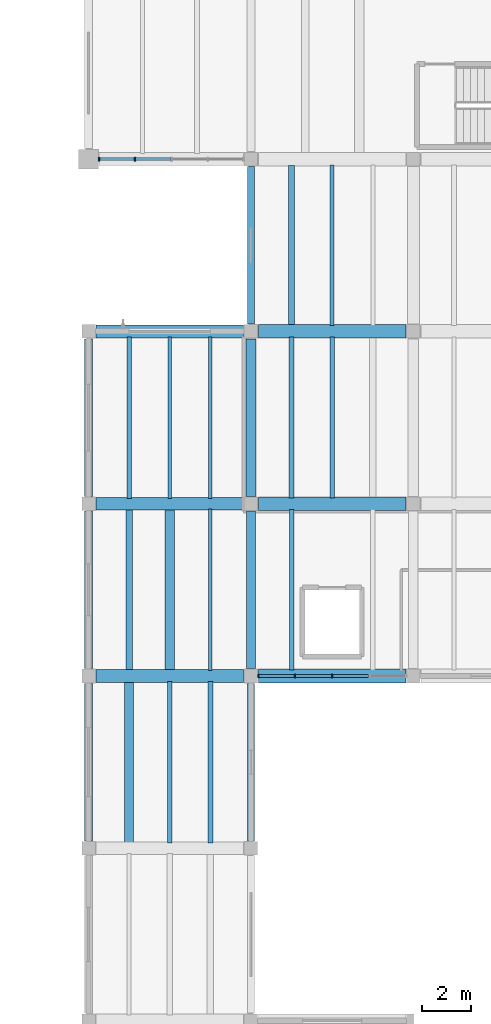
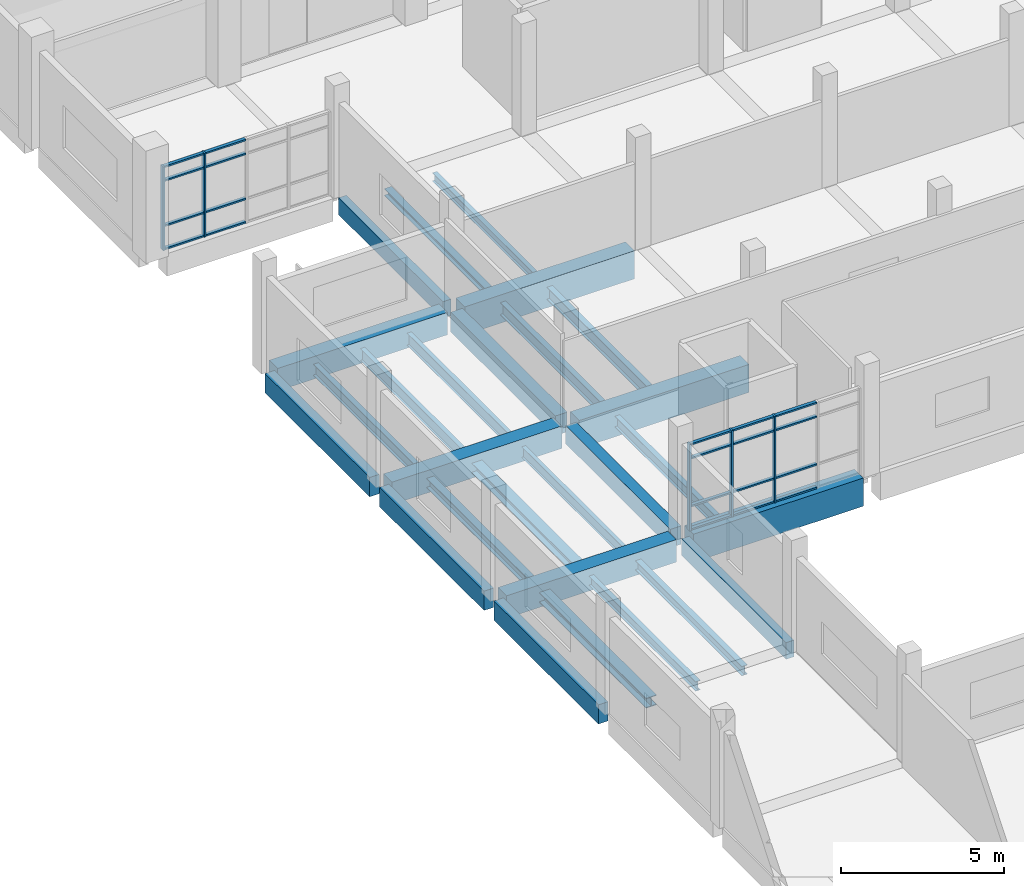
# One storey, part 24 of 67: 27 beams, 25 members, 2 elements without a shape of their own.
"""IFC4 building model written with IfcOpenShell, lengths in metres."""

from ifc_helpers import new_model, si_unit, direction, frame, origin, origin_2d, place, context, subcontext, project, spatial, rectangle, i_section, extrude, material, material_profile, profile_set, type_object, element, aggregate, save


model = new_model("IFC4")

# Units and contexts
model_context = context("Model", 3, precision=1e-05, world=origin(), true_north=direction((0.0, 1.0)))
body_context = subcontext(model_context, "Body", "Model", "MODEL_VIEW")
ifc_project = project(units=[si_unit("LENGTHUNIT", "METRE"), si_unit("AREAUNIT", "SQUARE_METRE"), si_unit("VOLUMEUNIT", "CUBIC_METRE"), si_unit("PLANEANGLEUNIT", "RADIAN"), si_unit("MASSUNIT", "GRAM", prefix="KILO")], contexts=[model_context])

# Site, building, storey
site_placement = place(None, origin())
site = spatial("IfcSite", under=ifc_project, at=site_placement, CompositionType="ELEMENT")
building_placement = place(site_placement, origin())
building = spatial("IfcBuilding", under=site, at=building_placement, Name="Ciguamira Faculty of Natural Sciences", CompositionType="ELEMENT")
storey_placement = place(building_placement, frame((0.0, 0.0, 8.39990234375)))
storey = spatial("IfcBuildingStorey", under=building, at=storey_placement, Name="L02", CompositionType="ELEMENT", Elevation=8.39990234375)

# Curtain wall, members
ifc_material_1 = material(Name="Anodized aluminium curtain wall", Category="aluminium")
curtain_wall_type_1 = type_object("IfcCurtainWallType", Name="CurtainWall_CW-07", PredefinedType="USERDEFINED", material=ifc_material_1)
curtain_wall_1_placement = place(storey_placement, origin())
curtain_wall_1 = element("IfcCurtainWall", 1, at=curtain_wall_1_placement, inside=storey, type_object=curtain_wall_type_1, Name="L02 unitised curtain wall 0067", ObjectType="UNITISED CURTAIN WALL", PredefinedType="USERDEFINED")
ifc_material_2 = material(Name="Anodized aluminium mullion", Category="aluminium")
ifc_material_profile_1 = material_profile(ifc_material_2, rectangle(XDim=0.06005859375, YDim=0.159912109375, at=origin_2d()), Name="ALU-MUL-60X160")
ifc_profile_set_1 = profile_set([ifc_material_profile_1], Name="Anodized aluminium mullion")
member_type_1 = type_object("IfcMemberType", Name="CWMullion_CWM-01", PredefinedType="MULLION", material=ifc_profile_set_1)
member_1_placement = place(storey_placement, frame((64.205078125, 73.0, 0.0), z_axis=(0.0, 0.0, 1.0), x_axis=(1.0, 0.0, 0.0)))
member_1 = element("IfcMember", 2, at=member_1_placement, type_object=member_type_1, Name="CW-07 mullion 1", PredefinedType="MULLION", context=body_context, shape_type="SweptSolid", body=[
    extrude(rectangle(XDim=0.06005859375, YDim=0.159912109375, at=origin_2d()), origin(), (0.0, 0.0, 1.0), 3.235107421875),
])
member_2_placement = place(storey_placement, frame((65.6875, 73.0, 0.0), z_axis=(0.0, 0.0, 1.0), x_axis=(1.0, 0.0, 0.0)))
member_2 = element("IfcMember", 3, at=member_2_placement, type_object=member_type_1, Name="CW-07 mullion 2", PredefinedType="MULLION", context=body_context, shape_type="SweptSolid", body=[
    extrude(rectangle(XDim=0.06005859375, YDim=0.159912109375, at=origin_2d()), origin(), (0.0, 0.0, 1.0), 3.235107421875),
])
member_3_placement = place(storey_placement, frame((67.199951171875, 73.0, 0.0), z_axis=(0.0, 0.0, 1.0), x_axis=(1.0, 0.0, 0.0)))
member_3 = element("IfcMember", 4, at=member_3_placement, type_object=member_type_1, Name="CW-07 mullion 3", PredefinedType="MULLION", context=body_context, shape_type="SweptSolid", body=[
    extrude(rectangle(XDim=0.06005859375, YDim=0.159912109375, at=origin_2d()), origin(), (0.0, 0.0, 1.0), 3.235107421875),
])

curtain_wall_type_2 = type_object("IfcCurtainWallType", Name="CurtainWall_CW-10", PredefinedType="USERDEFINED", material=ifc_material_1)
curtain_wall_2_placement = place(storey_placement, origin())
curtain_wall_2 = element("IfcCurtainWall", 5, at=curtain_wall_2_placement, inside=storey, type_object=curtain_wall_type_2, Name="L02 unitised curtain wall 0070", ObjectType="UNITISED CURTAIN WALL", PredefinedType="USERDEFINED")
member_4_placement = place(storey_placement, frame((57.72998046875, 94.0, 0.0), z_axis=(0.0, 0.0, 1.0), x_axis=(1.0, 0.0, 0.0)))
member_4 = element("IfcMember", 6, at=member_4_placement, type_object=member_type_1, Name="CW-10 mullion 1", PredefinedType="MULLION", context=body_context, shape_type="SweptSolid", body=[
    extrude(rectangle(XDim=0.06005859375, YDim=0.159912109375, at=origin_2d()), origin(), (0.0, 0.0, 1.0), 3.135009765625),
])
member_5_placement = place(storey_placement, frame((59.18115234375, 94.0, 0.0), z_axis=(0.0, 0.0, 1.0), x_axis=(1.0, 0.0, 0.0)))
member_5 = element("IfcMember", 7, at=member_5_placement, type_object=member_type_1, Name="CW-10 mullion 2", PredefinedType="MULLION", context=body_context, shape_type="SweptSolid", body=[
    extrude(rectangle(XDim=0.06005859375, YDim=0.159912109375, at=origin_2d()), origin(), (0.0, 0.0, 1.0), 3.135009765625),
])

# Member
ifc_material_3 = material(Name="Anodized aluminium transom", Category="aluminium")
ifc_material_profile_2 = material_profile(ifc_material_3, rectangle(XDim=0.06005859375, YDim=0.1201171875, at=origin_2d()), Name="ALU-TRN-60X120")
ifc_profile_set_2 = profile_set([ifc_material_profile_2], Name="Anodized aluminium transom")
member_type_2 = type_object("IfcMemberType", Name="CWTransom_CWT-01", PredefinedType="USERDEFINED", material=ifc_profile_set_2)
member_6_placement = place(storey_placement, frame((64.235107421875, 73.0, 0.030029296875), z_axis=(1.0, 0.0, 0.0), x_axis=(0.0, 0.0, 1.0)))
member_6 = element("IfcMember", 8, at=member_6_placement, type_object=member_type_2, Name="CW-07 transom 1.1", ObjectType="TRANSOM", PredefinedType="USERDEFINED", context=body_context, shape_type="SweptSolid", body=[
    extrude(rectangle(XDim=0.06005859375, YDim=0.1201171875, at=origin_2d()), origin(), (0.0, 0.0, 1.0), 1.42236328125),
])

member_7_placement = place(storey_placement, frame((64.235107421875, 73.0, 0.900146484375), z_axis=(1.0, 0.0, 0.0), x_axis=(0.0, 0.0, 1.0)))
member_7 = element("IfcMember", 9, at=member_7_placement, type_object=member_type_2, Name="CW-07 transom 1.2", ObjectType="TRANSOM", PredefinedType="USERDEFINED", context=body_context, shape_type="SweptSolid", body=[
    extrude(rectangle(XDim=0.06005859375, YDim=0.1201171875, at=origin_2d()), origin(), (0.0, 0.0, 1.0), 1.42236328125),
])

member_8_placement = place(storey_placement, frame((64.235107421875, 73.0, 2.68505859375), z_axis=(1.0, 0.0, 0.0), x_axis=(0.0, 0.0, 1.0)))
member_8 = element("IfcMember", 10, at=member_8_placement, type_object=member_type_2, Name="CW-07 transom 1.3", ObjectType="TRANSOM", PredefinedType="USERDEFINED", context=body_context, shape_type="SweptSolid", body=[
    extrude(rectangle(XDim=0.06005859375, YDim=0.1201171875, at=origin_2d()), origin(), (0.0, 0.0, 1.0), 1.42236328125),
])

member_9_placement = place(storey_placement, frame((64.235107421875, 73.0, 3.205078125), z_axis=(1.0, 0.0, 0.0), x_axis=(0.0, 0.0, 1.0)))
member_9 = element("IfcMember", 11, at=member_9_placement, type_object=member_type_2, Name="CW-07 transom 1.4", ObjectType="TRANSOM", PredefinedType="USERDEFINED", context=body_context, shape_type="SweptSolid", body=[
    extrude(rectangle(XDim=0.06005859375, YDim=0.1201171875, at=origin_2d()), origin(), (0.0, 0.0, 1.0), 1.42236328125),
])

member_10_placement = place(storey_placement, frame((65.717529296875, 73.0, 0.030029296875), z_axis=(1.0, 0.0, 0.0), x_axis=(0.0, 0.0, 1.0)))
member_10 = element("IfcMember", 12, at=member_10_placement, type_object=member_type_2, Name="CW-07 transom 2.1", ObjectType="TRANSOM", PredefinedType="USERDEFINED", context=body_context, shape_type="SweptSolid", body=[
    extrude(rectangle(XDim=0.06005859375, YDim=0.1201171875, at=origin_2d()), origin(), (0.0, 0.0, 1.0), 1.452392578125),
])

member_11_placement = place(storey_placement, frame((65.717529296875, 73.0, 0.900146484375), z_axis=(1.0, 0.0, 0.0), x_axis=(0.0, 0.0, 1.0)))
member_11 = element("IfcMember", 13, at=member_11_placement, type_object=member_type_2, Name="CW-07 transom 2.2", ObjectType="TRANSOM", PredefinedType="USERDEFINED", context=body_context, shape_type="SweptSolid", body=[
    extrude(rectangle(XDim=0.06005859375, YDim=0.1201171875, at=origin_2d()), origin(), (0.0, 0.0, 1.0), 1.452392578125),
])

member_12_placement = place(storey_placement, frame((65.717529296875, 73.0, 2.68505859375), z_axis=(1.0, 0.0, 0.0), x_axis=(0.0, 0.0, 1.0)))
member_12 = element("IfcMember", 14, at=member_12_placement, type_object=member_type_2, Name="CW-07 transom 2.3", ObjectType="TRANSOM", PredefinedType="USERDEFINED", context=body_context, shape_type="SweptSolid", body=[
    extrude(rectangle(XDim=0.06005859375, YDim=0.1201171875, at=origin_2d()), origin(), (0.0, 0.0, 1.0), 1.452392578125),
])

member_13_placement = place(storey_placement, frame((65.717529296875, 73.0, 3.205078125), z_axis=(1.0, 0.0, 0.0), x_axis=(0.0, 0.0, 1.0)))
member_13 = element("IfcMember", 15, at=member_13_placement, type_object=member_type_2, Name="CW-07 transom 2.4", ObjectType="TRANSOM", PredefinedType="USERDEFINED", context=body_context, shape_type="SweptSolid", body=[
    extrude(rectangle(XDim=0.06005859375, YDim=0.1201171875, at=origin_2d()), origin(), (0.0, 0.0, 1.0), 1.452392578125),
])

member_14_placement = place(storey_placement, frame((67.22998046875, 73.0, 0.030029296875), z_axis=(1.0, 0.0, 0.0), x_axis=(0.0, 0.0, 1.0)))
member_14 = element("IfcMember", 16, at=member_14_placement, type_object=member_type_2, Name="CW-07 transom 3.1", ObjectType="TRANSOM", PredefinedType="USERDEFINED", context=body_context, shape_type="SweptSolid", body=[
    extrude(rectangle(XDim=0.06005859375, YDim=0.1201171875, at=origin_2d()), origin(), (0.0, 0.0, 1.0), 1.45263671875),
])

member_15_placement = place(storey_placement, frame((67.22998046875, 73.0, 0.900146484375), z_axis=(1.0, 0.0, 0.0), x_axis=(0.0, 0.0, 1.0)))
member_15 = element("IfcMember", 17, at=member_15_placement, type_object=member_type_2, Name="CW-07 transom 3.2", ObjectType="TRANSOM", PredefinedType="USERDEFINED", context=body_context, shape_type="SweptSolid", body=[
    extrude(rectangle(XDim=0.06005859375, YDim=0.1201171875, at=origin_2d()), origin(), (0.0, 0.0, 1.0), 1.45263671875),
])

member_16_placement = place(storey_placement, frame((67.22998046875, 73.0, 2.68505859375), z_axis=(1.0, 0.0, 0.0), x_axis=(0.0, 0.0, 1.0)))
member_16 = element("IfcMember", 18, at=member_16_placement, type_object=member_type_2, Name="CW-07 transom 3.3", ObjectType="TRANSOM", PredefinedType="USERDEFINED", context=body_context, shape_type="SweptSolid", body=[
    extrude(rectangle(XDim=0.06005859375, YDim=0.1201171875, at=origin_2d()), origin(), (0.0, 0.0, 1.0), 1.45263671875),
])

member_17_placement = place(storey_placement, frame((67.22998046875, 73.0, 3.205078125), z_axis=(1.0, 0.0, 0.0), x_axis=(0.0, 0.0, 1.0)))
member_17 = element("IfcMember", 19, at=member_17_placement, type_object=member_type_2, Name="CW-07 transom 3.4", ObjectType="TRANSOM", PredefinedType="USERDEFINED", context=body_context, shape_type="SweptSolid", body=[
    extrude(rectangle(XDim=0.06005859375, YDim=0.1201171875, at=origin_2d()), origin(), (0.0, 0.0, 1.0), 1.45263671875),
])

aggregate(curtain_wall_1, [member_1, member_2, member_3, member_6, member_7, member_8, member_9, member_10, member_11, member_12, member_13, member_14, member_15, member_16, member_17])

member_18_placement = place(storey_placement, frame((57.760009765625, 94.0, 0.030029296875), z_axis=(1.0, 0.0, 0.0), x_axis=(0.0, 0.0, 1.0)))
member_18 = element("IfcMember", 20, at=member_18_placement, type_object=member_type_2, Name="CW-10 transom 1.1", ObjectType="TRANSOM", PredefinedType="USERDEFINED", context=body_context, shape_type="SweptSolid", body=[
    extrude(rectangle(XDim=0.06005859375, YDim=0.1201171875, at=origin_2d()), origin(), (0.0, 0.0, 1.0), 1.391357421875),
])

member_19_placement = place(storey_placement, frame((57.760009765625, 94.0, 0.900146484375), z_axis=(1.0, 0.0, 0.0), x_axis=(0.0, 0.0, 1.0)))
member_19 = element("IfcMember", 21, at=member_19_placement, type_object=member_type_2, Name="CW-10 transom 1.2", ObjectType="TRANSOM", PredefinedType="USERDEFINED", context=body_context, shape_type="SweptSolid", body=[
    extrude(rectangle(XDim=0.06005859375, YDim=0.1201171875, at=origin_2d()), origin(), (0.0, 0.0, 1.0), 1.391357421875),
])

member_20_placement = place(storey_placement, frame((57.760009765625, 94.0, 2.585205078125), z_axis=(1.0, 0.0, 0.0), x_axis=(0.0, 0.0, 1.0)))
member_20 = element("IfcMember", 22, at=member_20_placement, type_object=member_type_2, Name="CW-10 transom 1.3", ObjectType="TRANSOM", PredefinedType="USERDEFINED", context=body_context, shape_type="SweptSolid", body=[
    extrude(rectangle(XDim=0.06005859375, YDim=0.1201171875, at=origin_2d()), origin(), (0.0, 0.0, 1.0), 1.391357421875),
])

member_21_placement = place(storey_placement, frame((57.760009765625, 94.0, 3.10498046875), z_axis=(1.0, 0.0, 0.0), x_axis=(0.0, 0.0, 1.0)))
member_21 = element("IfcMember", 23, at=member_21_placement, type_object=member_type_2, Name="CW-10 transom 1.4", ObjectType="TRANSOM", PredefinedType="USERDEFINED", context=body_context, shape_type="SweptSolid", body=[
    extrude(rectangle(XDim=0.06005859375, YDim=0.1201171875, at=origin_2d()), origin(), (0.0, 0.0, 1.0), 1.391357421875),
])

member_22_placement = place(storey_placement, frame((59.211181640625, 94.0, 0.030029296875), z_axis=(1.0, 0.0, 0.0), x_axis=(0.0, 0.0, 1.0)))
member_22 = element("IfcMember", 24, at=member_22_placement, type_object=member_type_2, Name="CW-10 transom 2.1", ObjectType="TRANSOM", PredefinedType="USERDEFINED", context=body_context, shape_type="SweptSolid", body=[
    extrude(rectangle(XDim=0.06005859375, YDim=0.1201171875, at=origin_2d()), origin(), (0.0, 0.0, 1.0), 1.42138671875),
])

member_23_placement = place(storey_placement, frame((59.211181640625, 94.0, 0.900146484375), z_axis=(1.0, 0.0, 0.0), x_axis=(0.0, 0.0, 1.0)))
member_23 = element("IfcMember", 25, at=member_23_placement, type_object=member_type_2, Name="CW-10 transom 2.2", ObjectType="TRANSOM", PredefinedType="USERDEFINED", context=body_context, shape_type="SweptSolid", body=[
    extrude(rectangle(XDim=0.06005859375, YDim=0.1201171875, at=origin_2d()), origin(), (0.0, 0.0, 1.0), 1.42138671875),
])

member_24_placement = place(storey_placement, frame((59.211181640625, 94.0, 2.585205078125), z_axis=(1.0, 0.0, 0.0), x_axis=(0.0, 0.0, 1.0)))
member_24 = element("IfcMember", 26, at=member_24_placement, type_object=member_type_2, Name="CW-10 transom 2.3", ObjectType="TRANSOM", PredefinedType="USERDEFINED", context=body_context, shape_type="SweptSolid", body=[
    extrude(rectangle(XDim=0.06005859375, YDim=0.1201171875, at=origin_2d()), origin(), (0.0, 0.0, 1.0), 1.42138671875),
])

member_25_placement = place(storey_placement, frame((59.211181640625, 94.0, 3.10498046875), z_axis=(1.0, 0.0, 0.0), x_axis=(0.0, 0.0, 1.0)))
member_25 = element("IfcMember", 27, at=member_25_placement, type_object=member_type_2, Name="CW-10 transom 2.4", ObjectType="TRANSOM", PredefinedType="USERDEFINED", context=body_context, shape_type="SweptSolid", body=[
    extrude(rectangle(XDim=0.06005859375, YDim=0.1201171875, at=origin_2d()), origin(), (0.0, 0.0, 1.0), 1.42138671875),
])

aggregate(curtain_wall_2, [member_4, member_5, member_18, member_19, member_20, member_21, member_22, member_23, member_24, member_25])

# Beams
ifc_material_4 = material(Name="Concrete C40/50", Category="concrete")
ifc_material_profile_3 = material_profile(ifc_material_4, rectangle(XDim=0.550048828125, YDim=1.050048828125, at=origin_2d()), Name="RC-BM-550X1050")
ifc_profile_set_3 = profile_set([ifc_material_profile_3], Name="Concrete C40/50")
beam_type_1 = type_object("IfcBeamType", Name="RCBeam_BG-01_RC-BM-550X1050", PredefinedType="BEAM", material=ifc_profile_set_3)
for number, where, z_axis, x_axis, name in (
    (28, (64.199951171875, 73.0, -0.52490234375), (1.0, 0.0, 0.0), (0.0, 1.0, 0.0), "L02 RC girder EW-0813"),
    (29, (64.199951171875, 80.0, -0.52490234375), (1.0, 0.0, 0.0), (0.0, 1.0, 0.0), "L02 RC girder EW-0822"),
    (30, (64.199951171875, 87.0, -0.52490234375), (1.0, 0.0, 0.0), (0.0, 1.0, 0.0), "L02 RC girder EW-0831"),
):
    element("IfcBeam", number, at=place(storey_placement, frame(where, z_axis=z_axis, x_axis=x_axis)), inside=storey, type_object=beam_type_1, Name=name, PredefinedType="BEAM", context=body_context, shape_type="SweptSolid", body=[
        extrude(rectangle(XDim=0.550048828125, YDim=1.050048828125, at=origin_2d()), origin(), (0.0, 0.0, 1.0), 6.0),
    ])
ifc_material_profile_4 = material_profile(ifc_material_4, rectangle(XDim=0.419921875, YDim=0.739990234375, at=origin_2d()), Name="RC-BM-420X740")
ifc_profile_set_4 = profile_set([ifc_material_profile_4], Name="Concrete C40/50")
beam_type_2 = type_object("IfcBeamType", Name="RCBeam_BG-07_RC-BM-420X740", PredefinedType="BEAM", material=ifc_profile_set_4)
beam_1_placement = place(storey_placement, frame((63.89990234375, 80.300048828125, -0.369873046875), z_axis=(0.0, 1.0, 0.0), x_axis=(-1.0, 0.0, 0.0)))
element("IfcBeam", 31, at=beam_1_placement, inside=storey, type_object=beam_type_2, Name="L02 girder NS-0916", PredefinedType="BEAM", context=body_context, shape_type="SweptSolid", body=[
    extrude(rectangle(XDim=0.419921875, YDim=0.739990234375, at=origin_2d()), origin(), (0.0, 0.0, 1.0), 6.39990234375),
])
ifc_material_profile_5 = material_profile(ifc_material_4, rectangle(XDim=0.3798828125, YDim=0.679931640625, at=origin_2d()), Name="RC-BM-380X680")
ifc_profile_set_5 = profile_set([ifc_material_profile_5], Name="Concrete C40/50")
beam_type_3 = type_object("IfcBeamType", Name="RCBeam_BG-09_RC-BM-380X680", PredefinedType="BEAM", material=ifc_profile_set_5)
beam_2_placement = place(storey_placement, frame((63.89990234375, 73.300048828125, -0.33984375), z_axis=(0.0, 1.0, 0.0), x_axis=(-1.0, 0.0, 0.0)))
element("IfcBeam", 32, at=beam_2_placement, inside=storey, type_object=beam_type_3, Name="L02 girder NS-0915", PredefinedType="BEAM", context=body_context, shape_type="SweptSolid", body=[
    extrude(rectangle(XDim=0.3798828125, YDim=0.679931640625, at=origin_2d()), origin(), (0.0, 0.0, 1.0), 6.39990234375),
])
ifc_material_5 = material(Name="Precast concrete C40/50", Category="concrete")
ifc_material_profile_6 = material_profile(ifc_material_5, rectangle(XDim=0.280029296875, YDim=0.6201171875, at=origin_2d()), Name="RC-SP-280X620")
ifc_profile_set_6 = profile_set([ifc_material_profile_6], Name="Precast concrete C40/50")
beam_type_4 = type_object("IfcBeamType", Name="RCBeam_SP-01_RC-SP-280X620", PredefinedType="SPANDREL", material=ifc_profile_set_6)
for number, where, z_axis, x_axis, name in (
    (33, (63.89990234375, 66.300048828125, -0.309814453125), (0.0, 1.0, 0.0), (-1.0, 0.0, 0.0), "L02 girder NS-0914"),
    (34, (63.89990234375, 87.300048828125, -0.309814453125), (0.0, 1.0, 0.0), (-1.0, 0.0, 0.0), "L02 girder NS-0917"),
):
    element("IfcBeam", number, at=place(storey_placement, frame(where, z_axis=z_axis, x_axis=x_axis)), inside=storey, type_object=beam_type_4, Name=name, PredefinedType="SPANDREL", context=body_context, shape_type="SweptSolid", body=[
        extrude(rectangle(XDim=0.280029296875, YDim=0.6201171875, at=origin_2d()), origin(), (0.0, 0.0, 1.0), 6.39990234375),
    ])
ifc_material_profile_7 = material_profile(ifc_material_5, rectangle(XDim=0.340087890625, YDim=0.719970703125, at=origin_2d()), Name="RC-SP-340X720")
ifc_profile_set_7 = profile_set([ifc_material_profile_7], Name="Precast concrete C40/50")
beam_type_5 = type_object("IfcBeamType", Name="RCBeam_SP-03_RC-SP-340X720", PredefinedType="SPANDREL", material=ifc_profile_set_7)
for number, where, z_axis, x_axis, name in (
    (35, (57.300048828125, 66.300048828125, -0.35986328125), (0.0, 1.0, 0.0), (-1.0, 0.0, 0.0), "L02 girder NS-0902"),
    (36, (57.300048828125, 73.300048828125, -0.35986328125), (0.0, 1.0, 0.0), (-1.0, 0.0, 0.0), "L02 girder NS-0903"),
    (37, (57.300048828125, 80.300048828125, -0.35986328125), (0.0, 1.0, 0.0), (-1.0, 0.0, 0.0), "L02 girder NS-0904"),
):
    element("IfcBeam", number, at=place(storey_placement, frame(where, z_axis=z_axis, x_axis=x_axis)), inside=storey, type_object=beam_type_5, Name=name, PredefinedType="SPANDREL", context=body_context, shape_type="SweptSolid", body=[
        extrude(rectangle(XDim=0.340087890625, YDim=0.719970703125, at=origin_2d()), origin(), (0.0, 0.0, 1.0), 6.39990234375),
    ])
ifc_material_profile_8 = material_profile(ifc_material_4, rectangle(XDim=0.52001953125, YDim=0.840087890625, at=origin_2d()), Name="RC-TB-520X840")
ifc_profile_set_8 = profile_set([ifc_material_profile_8], Name="Concrete C40/50")
beam_type_6 = type_object("IfcBeamType", Name="RCBeam_TB-02_RC-TB-520X840", PredefinedType="T_BEAM", material=ifc_profile_set_8)
for number, where, z_axis, x_axis, name in (
    (38, (57.60009765625, 73.0, -0.419921875), (1.0, 0.0, 0.0), (0.0, 1.0, 0.0), "L02 RC girder EW-0812"),
    (39, (57.60009765625, 80.0, -0.419921875), (1.0, 0.0, 0.0), (0.0, 1.0, 0.0), "L02 RC girder EW-0821"),
    (40, (57.60009765625, 87.0, -0.419921875), (1.0, 0.0, 0.0), (0.0, 1.0, 0.0), "L02 RC girder EW-0830"),
):
    element("IfcBeam", number, at=place(storey_placement, frame(where, z_axis=z_axis, x_axis=x_axis)), inside=storey, type_object=beam_type_6, Name=name, PredefinedType="T_BEAM", context=body_context, shape_type="SweptSolid", body=[
        extrude(rectangle(XDim=0.52001953125, YDim=0.840087890625, at=origin_2d()), origin(), (0.0, 0.0, 1.0), 6.0),
    ])
ifc_material_6 = material(Name="Steel ASTM A992 Grade 50", Category="steel")
ifc_material_profile_9 = material_profile(ifc_material_6, i_section(OverallWidth=0.25390625, OverallDepth=0.25390625, WebThickness=0.008544921875, FlangeThickness=0.01416015625, at=origin_2d()), Name="W10X49")
ifc_profile_set_9 = profile_set([ifc_material_profile_9], Name="Steel ASTM A992 Grade 50")
beam_type_7 = type_object("IfcBeamType", Name="SteelJoist_SJ-03_W10X49", PredefinedType="JOIST", material=ifc_profile_set_9)
beam_3_placement = place(storey_placement, frame((65.550048828125, 87.235107421875, -0.406982421875), z_axis=(0.0, 1.0, 0.0), x_axis=(-1.0, 0.0, 0.0)))
element("IfcBeam", 41, at=beam_3_placement, inside=storey, type_object=beam_type_7, Name="L02 composite steel joist 00756", PredefinedType="JOIST", context=body_context, shape_type="SweptSolid", body=[
    extrude(i_section(OverallWidth=0.25390625, OverallDepth=0.25390625, WebThickness=0.008544921875, FlangeThickness=0.01416015625, at=origin_2d()), origin(), (0.0, 0.0, 1.0), 6.52978515625),
])
ifc_material_profile_10 = material_profile(ifc_material_6, i_section(OverallWidth=0.164794921875, OverallDepth=0.309814453125, WebThickness=0.005859375, FlangeThickness=0.009765625, at=origin_2d()), Name="W12X26")
ifc_profile_set_10 = profile_set([ifc_material_profile_10], Name="Steel ASTM A992 Grade 50")
beam_type_8 = type_object("IfcBeamType", Name="SteelJoist_SJ-04_W12X26", PredefinedType="JOIST", material=ifc_profile_set_10)
beam_4_placement = place(storey_placement, frame((67.199951171875, 87.235107421875, -0.434814453125), z_axis=(0.0, 1.0, 0.0), x_axis=(-1.0, 0.0, 0.0)))
element("IfcBeam", 42, at=beam_4_placement, inside=storey, type_object=beam_type_8, Name="L02 composite steel joist 00757", PredefinedType="JOIST", context=body_context, shape_type="SweptSolid", body=[
    extrude(i_section(OverallWidth=0.164794921875, OverallDepth=0.309814453125, WebThickness=0.005859375, FlangeThickness=0.009765625, at=origin_2d()), origin(), (0.0, 0.0, 1.0), 6.52978515625),
])
ifc_material_profile_11 = material_profile(ifc_material_6, i_section(OverallWidth=0.373291015625, OverallDepth=0.373291015625, WebThickness=0.016357421875, FlangeThickness=0.026123046875, at=origin_2d()), Name="W14X132")
ifc_profile_set_11 = profile_set([ifc_material_profile_11], Name="Steel ASTM A992 Grade 50")
beam_type_9 = type_object("IfcBeamType", Name="SteelJoist_SJ-10_W14X132", PredefinedType="JOIST", material=ifc_profile_set_11)
beam_5_placement = place(storey_placement, frame((58.949951171875, 66.219970703125, -0.466552734375), z_axis=(0.0, 1.0, 0.0), x_axis=(-1.0, 0.0, 0.0)))
element("IfcBeam", 43, at=beam_5_placement, inside=storey, type_object=beam_type_9, Name="L02 composite steel joist 00721", PredefinedType="JOIST", context=body_context, shape_type="SweptSolid", body=[
    extrude(i_section(OverallWidth=0.373291015625, OverallDepth=0.373291015625, WebThickness=0.016357421875, FlangeThickness=0.026123046875, at=origin_2d()), origin(), (0.0, 0.0, 1.0), 6.56005859375),
])
ifc_material_profile_12 = material_profile(ifc_material_6, i_section(OverallWidth=0.1708984375, OverallDepth=0.3505859375, WebThickness=0.0068359375, FlangeThickness=0.009765625, at=origin_2d()), Name="W14X30")
ifc_profile_set_12 = profile_set([ifc_material_profile_12], Name="Steel ASTM A992 Grade 50")
beam_type_10 = type_object("IfcBeamType", Name="SteelJoist_SJ-11_W14X30", PredefinedType="JOIST", material=ifc_profile_set_12)
beam_6_placement = place(storey_placement, frame((60.60009765625, 66.219970703125, -0.455322265625), z_axis=(0.0, 1.0, 0.0), x_axis=(-1.0, 0.0, 0.0)))
element("IfcBeam", 44, at=beam_6_placement, inside=storey, type_object=beam_type_10, Name="L02 composite steel joist 00722", PredefinedType="JOIST", context=body_context, shape_type="SweptSolid", body=[
    extrude(i_section(OverallWidth=0.1708984375, OverallDepth=0.3505859375, WebThickness=0.0068359375, FlangeThickness=0.009765625, at=origin_2d()), origin(), (0.0, 0.0, 1.0), 6.56005859375),
])
ifc_material_profile_13 = material_profile(ifc_material_6, i_section(OverallWidth=0.203125, OverallDepth=0.347900390625, WebThickness=0.0078125, FlangeThickness=0.013427734375, at=origin_2d()), Name="W14X43")
ifc_profile_set_13 = profile_set([ifc_material_profile_13], Name="Steel ASTM A992 Grade 50")
beam_type_11 = type_object("IfcBeamType", Name="SteelJoist_SJ-12_W14X43", PredefinedType="JOIST", material=ifc_profile_set_13)
beam_7_placement = place(storey_placement, frame((62.25, 66.219970703125, -0.453857421875), z_axis=(0.0, 1.0, 0.0), x_axis=(-1.0, 0.0, 0.0)))
element("IfcBeam", 45, at=beam_7_placement, inside=storey, type_object=beam_type_11, Name="L02 composite steel joist 00723", PredefinedType="JOIST", context=body_context, shape_type="SweptSolid", body=[
    extrude(i_section(OverallWidth=0.203125, OverallDepth=0.347900390625, WebThickness=0.0078125, FlangeThickness=0.013427734375, at=origin_2d()), origin(), (0.0, 0.0, 1.0), 6.56005859375),
])
ifc_material_profile_14 = material_profile(ifc_material_6, i_section(OverallWidth=0.256591796875, OverallDepth=0.36328125, WebThickness=0.012939453125, FlangeThickness=0.021728515625, at=origin_2d()), Name="W14X82")
ifc_profile_set_14 = profile_set([ifc_material_profile_14], Name="Steel ASTM A992 Grade 50")
beam_type_12 = type_object("IfcBeamType", Name="SteelJoist_SJ-15_W14X82", PredefinedType="JOIST", material=ifc_profile_set_14)
beam_8_placement = place(storey_placement, frame((58.949951171875, 73.219970703125, -0.46142578125), z_axis=(0.0, 1.0, 0.0), x_axis=(-1.0, 0.0, 0.0)))
element("IfcBeam", 46, at=beam_8_placement, inside=storey, type_object=beam_type_12, Name="L02 composite steel joist 00724", PredefinedType="JOIST", context=body_context, shape_type="SweptSolid", body=[
    extrude(i_section(OverallWidth=0.256591796875, OverallDepth=0.36328125, WebThickness=0.012939453125, FlangeThickness=0.021728515625, at=origin_2d()), origin(), (0.0, 0.0, 1.0), 6.56005859375),
])
ifc_material_profile_15 = material_profile(ifc_material_6, i_section(OverallWidth=0.368408203125, OverallDepth=0.355712890625, WebThickness=0.01123046875, FlangeThickness=0.01806640625, at=origin_2d()), Name="W14X90")
ifc_profile_set_15 = profile_set([ifc_material_profile_15], Name="Steel ASTM A992 Grade 50")
beam_type_13 = type_object("IfcBeamType", Name="SteelJoist_SJ-16_W14X90", PredefinedType="JOIST", material=ifc_profile_set_15)
beam_9_placement = place(storey_placement, frame((60.60009765625, 73.219970703125, -0.457763671875), z_axis=(0.0, 1.0, 0.0), x_axis=(-1.0, 0.0, 0.0)))
element("IfcBeam", 47, at=beam_9_placement, inside=storey, type_object=beam_type_13, Name="L02 composite steel joist 00725", PredefinedType="JOIST", context=body_context, shape_type="SweptSolid", body=[
    extrude(i_section(OverallWidth=0.368408203125, OverallDepth=0.355712890625, WebThickness=0.01123046875, FlangeThickness=0.01806640625, at=origin_2d()), origin(), (0.0, 0.0, 1.0), 6.56005859375),
])
ifc_material_profile_16 = material_profile(ifc_material_6, i_section(OverallWidth=0.140380859375, OverallDepth=0.40380859375, WebThickness=0.007080078125, FlangeThickness=0.01123046875, at=origin_2d()), Name="W16X31")
ifc_profile_set_16 = profile_set([ifc_material_profile_16], Name="Steel ASTM A992 Grade 50")
beam_type_14 = type_object("IfcBeamType", Name="SteelJoist_SJ-17_W16X31", PredefinedType="JOIST", material=ifc_profile_set_16)
beam_10_placement = place(storey_placement, frame((62.25, 73.219970703125, -0.481689453125), z_axis=(0.0, 1.0, 0.0), x_axis=(-1.0, 0.0, 0.0)))
element("IfcBeam", 48, at=beam_10_placement, inside=storey, type_object=beam_type_14, Name="L02 composite steel joist 00726", PredefinedType="JOIST", context=body_context, shape_type="SweptSolid", body=[
    extrude(i_section(OverallWidth=0.140380859375, OverallDepth=0.40380859375, WebThickness=0.007080078125, FlangeThickness=0.01123046875, at=origin_2d()), origin(), (0.0, 0.0, 1.0), 6.56005859375),
])
ifc_material_profile_17 = material_profile(ifc_material_6, i_section(OverallWidth=0.177490234375, OverallDepth=0.40380859375, WebThickness=0.007568359375, FlangeThickness=0.010986328125, at=origin_2d()), Name="W16X36")
ifc_profile_set_17 = profile_set([ifc_material_profile_17], Name="Steel ASTM A992 Grade 50")
beam_type_15 = type_object("IfcBeamType", Name="SteelJoist_SJ-18_W16X36", PredefinedType="JOIST", material=ifc_profile_set_17)
beam_11_placement = place(storey_placement, frame((65.550048828125, 73.235107421875, -0.481689453125), z_axis=(0.0, 1.0, 0.0), x_axis=(-1.0, 0.0, 0.0)))
element("IfcBeam", 49, at=beam_11_placement, inside=storey, type_object=beam_type_15, Name="L02 composite steel joist 00751", PredefinedType="JOIST", context=body_context, shape_type="SweptSolid", body=[
    extrude(i_section(OverallWidth=0.177490234375, OverallDepth=0.40380859375, WebThickness=0.007568359375, FlangeThickness=0.010986328125, at=origin_2d()), origin(), (0.0, 0.0, 1.0), 6.52978515625),
])
ifc_material_profile_18 = material_profile(ifc_material_6, i_section(OverallWidth=0.180908203125, OverallDepth=0.41650390625, WebThickness=0.010986328125, FlangeThickness=0.01806640625, at=origin_2d()), Name="W16X57")
ifc_profile_set_18 = profile_set([ifc_material_profile_18], Name="Steel ASTM A992 Grade 50")
beam_type_16 = type_object("IfcBeamType", Name="SteelJoist_SJ-20_W16X57", PredefinedType="JOIST", material=ifc_profile_set_18)
beam_12_placement = place(storey_placement, frame((58.949951171875, 80.219970703125, -0.48828125), z_axis=(0.0, 1.0, 0.0), x_axis=(-1.0, 0.0, 0.0)))
element("IfcBeam", 50, at=beam_12_placement, inside=storey, type_object=beam_type_16, Name="L02 composite steel joist 00727", PredefinedType="JOIST", context=body_context, shape_type="SweptSolid", body=[
    extrude(i_section(OverallWidth=0.180908203125, OverallDepth=0.41650390625, WebThickness=0.010986328125, FlangeThickness=0.01806640625, at=origin_2d()), origin(), (0.0, 0.0, 1.0), 6.56005859375),
])
ifc_material_profile_19 = material_profile(ifc_material_6, i_section(OverallWidth=0.15234375, OverallDepth=0.449462890625, WebThickness=0.007568359375, FlangeThickness=0.0107421875, at=origin_2d()), Name="W18X35")
ifc_profile_set_19 = profile_set([ifc_material_profile_19], Name="Steel ASTM A992 Grade 50")
beam_type_17 = type_object("IfcBeamType", Name="SteelJoist_SJ-21_W18X35", PredefinedType="JOIST", material=ifc_profile_set_19)
beam_13_placement = place(storey_placement, frame((60.60009765625, 80.219970703125, -0.504638671875), z_axis=(0.0, 1.0, 0.0), x_axis=(-1.0, 0.0, 0.0)))
element("IfcBeam", 51, at=beam_13_placement, inside=storey, type_object=beam_type_17, Name="L02 composite steel joist 00728", PredefinedType="JOIST", context=body_context, shape_type="SweptSolid", body=[
    extrude(i_section(OverallWidth=0.15234375, OverallDepth=0.449462890625, WebThickness=0.007568359375, FlangeThickness=0.0107421875, at=origin_2d()), origin(), (0.0, 0.0, 1.0), 6.56005859375),
])
ifc_material_profile_20 = material_profile(ifc_material_6, i_section(OverallWidth=0.15283203125, OverallDepth=0.45458984375, WebThickness=0.008056640625, FlangeThickness=0.013427734375, at=origin_2d()), Name="W18X40")
ifc_profile_set_20 = profile_set([ifc_material_profile_20], Name="Steel ASTM A992 Grade 50")
beam_type_18 = type_object("IfcBeamType", Name="SteelJoist_SJ-22_W18X40", PredefinedType="JOIST", material=ifc_profile_set_20)
beam_14_placement = place(storey_placement, frame((62.25, 80.219970703125, -0.50732421875), z_axis=(0.0, 1.0, 0.0), x_axis=(-1.0, 0.0, 0.0)))
element("IfcBeam", 52, at=beam_14_placement, inside=storey, type_object=beam_type_18, Name="L02 composite steel joist 00729", PredefinedType="JOIST", context=body_context, shape_type="SweptSolid", body=[
    extrude(i_section(OverallWidth=0.15283203125, OverallDepth=0.45458984375, WebThickness=0.008056640625, FlangeThickness=0.013427734375, at=origin_2d()), origin(), (0.0, 0.0, 1.0), 6.56005859375),
])
ifc_material_profile_21 = material_profile(ifc_material_6, i_section(OverallWidth=0.1904296875, OverallDepth=0.457275390625, WebThickness=0.009033203125, FlangeThickness=0.014404296875, at=origin_2d()), Name="W18X50")
ifc_profile_set_21 = profile_set([ifc_material_profile_21], Name="Steel ASTM A992 Grade 50")
beam_type_19 = type_object("IfcBeamType", Name="SteelJoist_SJ-23_W18X50", PredefinedType="JOIST", material=ifc_profile_set_21)
beam_15_placement = place(storey_placement, frame((65.550048828125, 80.235107421875, -0.508544921875), z_axis=(0.0, 1.0, 0.0), x_axis=(-1.0, 0.0, 0.0)))
element("IfcBeam", 53, at=beam_15_placement, inside=storey, type_object=beam_type_19, Name="L02 composite steel joist 00753", PredefinedType="JOIST", context=body_context, shape_type="SweptSolid", body=[
    extrude(i_section(OverallWidth=0.1904296875, OverallDepth=0.457275390625, WebThickness=0.009033203125, FlangeThickness=0.014404296875, at=origin_2d()), origin(), (0.0, 0.0, 1.0), 6.52978515625),
])
ifc_material_profile_22 = material_profile(ifc_material_6, i_section(OverallWidth=0.19287109375, OverallDepth=0.46728515625, WebThickness=0.011474609375, FlangeThickness=0.01904296875, at=origin_2d()), Name="W18X65")
ifc_profile_set_22 = profile_set([ifc_material_profile_22], Name="Steel ASTM A992 Grade 50")
beam_type_20 = type_object("IfcBeamType", Name="SteelJoist_SJ-24_W18X65", PredefinedType="JOIST", material=ifc_profile_set_22)
beam_16_placement = place(storey_placement, frame((67.199951171875, 80.235107421875, -0.513671875), z_axis=(0.0, 1.0, 0.0), x_axis=(-1.0, 0.0, 0.0)))
element("IfcBeam", 54, at=beam_16_placement, inside=storey, type_object=beam_type_20, Name="L02 composite steel joist 00754", PredefinedType="JOIST", context=body_context, shape_type="SweptSolid", body=[
    extrude(i_section(OverallWidth=0.19287109375, OverallDepth=0.46728515625, WebThickness=0.011474609375, FlangeThickness=0.01904296875, at=origin_2d()), origin(), (0.0, 0.0, 1.0), 6.52978515625),
])

save(model, "model.ifc")
